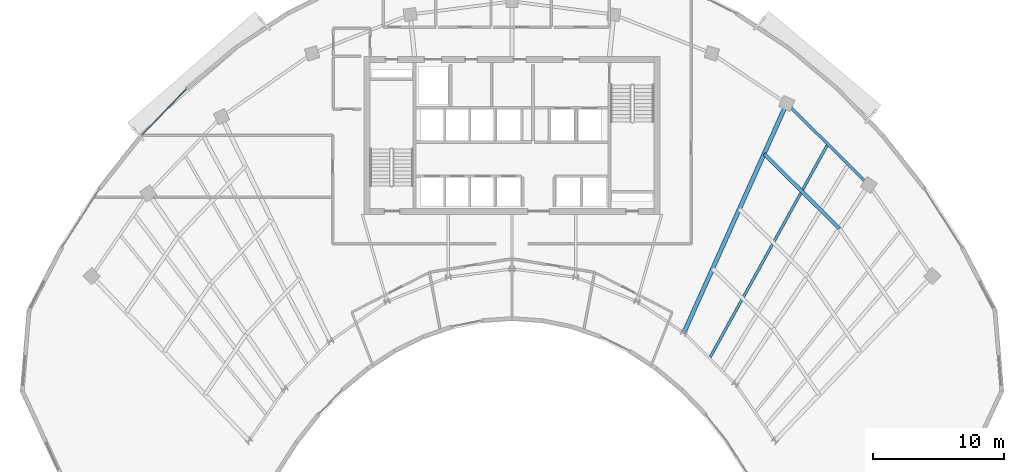
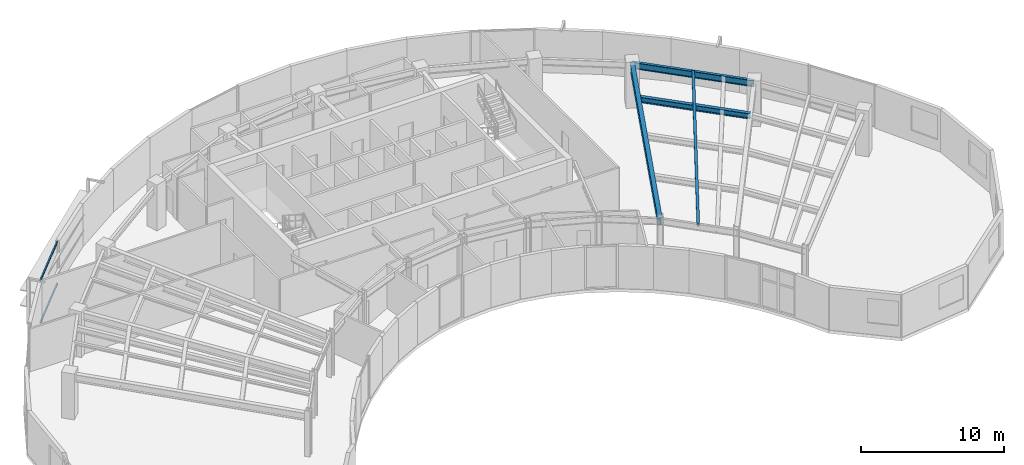
# One storey, part 4 of 13: 4 beams, 2 members, 1 element without a shape of its own.
"""IFC4 building model written with IfcOpenShell, lengths in metres."""

import ifcopenshell
import ifcopenshell.guid

model = None  # the IFC model being written
_history = None  # IfcOwnerHistory: only IFC2X3 demands one
_inside = {}  # id of a spatial element -> (the spatial element, [elements in it])
_under = {}  # id of a project, library or spatial element -> (it, [spatial elements below it])
_declared = {}  # id of a project -> (the project, [libraries it declares])
_typed = {}  # id of a type object -> (the type object, [elements of that type])
_made_of = {}  # id of a material, layer set ... -> (it, [elements and type objects made of it])


def new_model(schema):
    """Start an empty IFC model of exactly this schema.

    Asked for "IFC4X3", IfcOpenShell would pick the latest addendum, in which some entities
    have other attributes; the version numbers below select the first issue.
    IFC2X3 requires an IfcOwnerHistory on every rooted entity: one is made here for all.
    """
    global model, _history
    if schema == "IFC4X3":
        model = ifcopenshell.file(schema_version=(4, 3, 0, 0))
    else:
        model = ifcopenshell.file(schema=schema)
    _inside.clear()
    _under.clear()
    _declared.clear()
    _typed.clear()
    _made_of.clear()
    _history = None
    if model.schema == "IFC2X3":
        org = make("IfcOrganization", Name="unknown")
        user = make(
            "IfcPersonAndOrganization",
            ThePerson=make("IfcPerson", FamilyName="unknown"),
            TheOrganization=org,
        )
        app = make(
            "IfcApplication",
            ApplicationDeveloper=org,
            Version="unknown",
            ApplicationFullName="unknown",
            ApplicationIdentifier="unknown",
        )
        _history = make(
            "IfcOwnerHistory",
            OwningUser=user,
            OwningApplication=app,
            ChangeAction="ADDED",
            CreationDate=0,
        )
    return model


def make(cls, **values):
    """One entity of the class cls with the attributes given. An attribute that is None is left unset."""
    return model.create_entity(
        cls, **{name: value for name, value in values.items() if value is not None}
    )


def rooted(cls, **values):
    """An entity with a GlobalId (a new one), such as an element, a storey or a relation."""
    return make(cls, GlobalId=ifcopenshell.guid.new(), OwnerHistory=_history, **values)


def si_unit(unit_type, name, prefix=None):
    """IfcSIUnit, for example si_unit("LENGTHUNIT", "METRE", prefix="MILLI")."""
    return make("IfcSIUnit", UnitType=unit_type, Prefix=prefix, Name=name)


def assignment(units):
    """IfcUnitAssignment: the units of a project."""
    return None if units is None else make("IfcUnitAssignment", Units=units)


def point(xyz):
    """IfcCartesianPoint."""
    return None if xyz is None else make("IfcCartesianPoint", Coordinates=xyz)


def direction(xyz):
    """IfcDirection."""
    return None if xyz is None else make("IfcDirection", DirectionRatios=xyz)


def frame(location, z_axis=None, x_axis=None):
    """IfcAxis2Placement3D, a coordinate frame: its origin and axes. An axis left out is left unset."""
    return make(
        "IfcAxis2Placement3D",
        Location=point(location),
        Axis=direction(z_axis),
        RefDirection=direction(x_axis),
    )


def frame_2d(location, x_axis=None):
    """IfcAxis2Placement2D, a coordinate frame in the plane: its origin and x axis."""
    return make(
        "IfcAxis2Placement2D", Location=point(location), RefDirection=direction(x_axis)
    )


def origin():
    """The frame at (0, 0, 0) with its axes left unset."""
    return frame((0.0, 0.0, 0.0))


def origin_2d():
    """The frame at (0, 0) in the plane with its x axis left unset."""
    return frame_2d((0.0, 0.0))


def place(relative_to, where):
    """IfcLocalPlacement: puts the frame where relative to a parent placement (None: the world)."""
    return make(
        "IfcLocalPlacement", PlacementRelTo=relative_to, RelativePlacement=where
    )


def context(
    kind, dimensions, precision=None, world=None, true_north=None, identifier=None
):
    """IfcGeometricRepresentationContext, for example the 3D "Model" context."""
    return make(
        "IfcGeometricRepresentationContext",
        ContextIdentifier=identifier,
        ContextType=kind,
        CoordinateSpaceDimension=dimensions,
        Precision=precision,
        WorldCoordinateSystem=world,
        TrueNorth=true_north,
    )


def subcontext(parent, identifier, kind, view, scale=None):
    """IfcGeometricRepresentationSubContext, for example "Body" below "Model"."""
    return make(
        "IfcGeometricRepresentationSubContext",
        ContextIdentifier=identifier,
        ContextType=kind,
        ParentContext=parent,
        TargetScale=scale,
        TargetView=view,
    )


def project(units=None, contexts=None):
    """IfcProject with its units and contexts."""
    return rooted(
        "IfcProject",
        Name="project",
        RepresentationContexts=contexts,
        UnitsInContext=assignment(units),
    )


def spatial(cls, under=None, at=None, **own):
    """A site, building, storey or space (cls), placed at a placement, below another one or the project."""
    s = rooted(cls, ObjectPlacement=at, **own)
    if under is not None:
        _under.setdefault(under.id(), (under, []))[1].append(s)
    return s


def profile(cls, at=None, kind="AREA", **sizes):
    """A parametric profile (cls). Its sizes go by their IFC names, for example OverallWidth=200.0."""
    return make(cls, ProfileType=kind, Position=at, **sizes)


def rectangle(**sizes):
    """IfcRectangleProfileDef."""
    return profile("IfcRectangleProfileDef", **sizes)


def i_section(**sizes):
    """IfcIShapeProfileDef."""
    return profile("IfcIShapeProfileDef", **sizes)


def extrude(swept, where, along, depth):
    """IfcExtrudedAreaSolid: the profile swept, set in the frame where, extruded along a direction by depth."""
    return make(
        "IfcExtrudedAreaSolid",
        SweptArea=swept,
        Position=where,
        ExtrudedDirection=direction(along),
        Depth=depth,
    )


def shape(context_of_items, identifier, shape_type, items):
    """IfcShapeRepresentation: the items that make up one representation, for example the "Body"."""
    return make(
        "IfcShapeRepresentation",
        ContextOfItems=context_of_items,
        RepresentationIdentifier=identifier,
        RepresentationType=shape_type,
        Items=items,
    )


def source(mapping_origin, context_of_items, identifier, shape_type, items):
    """IfcRepresentationMap: a shape defined once, which mapped items show again and again."""
    return make(
        "IfcRepresentationMap",
        MappingOrigin=mapping_origin,
        MappedRepresentation=shape(context_of_items, identifier, shape_type, items),
    )


def transform(
    local_origin,
    x_axis=None,
    y_axis=None,
    z_axis=None,
    scale=None,
    scale2=None,
    scale3=None,
    uniform=True,
):
    """IfcCartesianTransformationOperator3D, or its non-uniform kind. x_axis, y_axis, z_axis: its Axis1, 2, 3."""
    if uniform:
        return make(
            "IfcCartesianTransformationOperator3D",
            Axis1=direction(x_axis),
            Axis2=direction(y_axis),
            LocalOrigin=point(local_origin),
            Scale=scale,
            Axis3=direction(z_axis),
        )
    return make(
        "IfcCartesianTransformationOperator3DnonUniform",
        Axis1=direction(x_axis),
        Axis2=direction(y_axis),
        LocalOrigin=point(local_origin),
        Scale=scale,
        Axis3=direction(z_axis),
        Scale2=scale2,
        Scale3=scale3,
    )


def mapped(mapping_source, mapping_target):
    """IfcMappedItem: shows the shape of a source again, moved by a transform."""
    return make(
        "IfcMappedItem", MappingSource=mapping_source, MappingTarget=mapping_target
    )


def material(Name=None, Category=None):
    """IfcMaterial."""
    return make("IfcMaterial", Name=Name, Category=Category)


def layer(
    of_material, thickness, ventilated=None, Name=None, Category=None, Priority=None
):
    """IfcMaterialLayer: one layer of a wall or slab, of a material (None: an air gap)."""
    return make(
        "IfcMaterialLayer",
        Material=of_material,
        LayerThickness=thickness,
        IsVentilated=ventilated,
        Name=Name,
        Category=Category,
        Priority=Priority,
    )


def layer_set(layers, Name=None):
    """IfcMaterialLayerSet."""
    return make("IfcMaterialLayerSet", MaterialLayers=layers, LayerSetName=Name)


def material_profile(
    of_material, cross_section, Name=None, Category=None, Priority=None
):
    """IfcMaterialProfile: a cross section and its material."""
    return make(
        "IfcMaterialProfile",
        Name=Name,
        Material=of_material,
        Profile=cross_section,
        Priority=Priority,
        Category=Category,
    )


def profile_set(profiles, Name=None, composite=None):
    """IfcMaterialProfileSet."""
    return make(
        "IfcMaterialProfileSet",
        Name=Name,
        MaterialProfiles=profiles,
        CompositeProfile=composite,
    )


def made_of(thing, what):
    """Note that an element or type object is made of a material, layer set ...; save() writes the relation."""
    if what is not None:
        _made_of.setdefault(what.id(), (what, []))[1].append(thing)
    return thing


def type_object(cls, material=None, **own):
    """A type object (cls), such as IfcWallType, which elements share."""
    return made_of(rooted(cls, **own), material)


def element(
    cls,
    number,
    at=None,
    inside=None,
    cuts=None,
    type_object=None,
    material=None,
    context=None,
    identifier="Body",
    shape_type=None,
    held_by="IfcProductDefinitionShape",
    body=None,
    shapes=None,
    **own,
):
    """One element of the class cls, such as IfcWall. Its Tag is "e" and its number.

    at: its placement. inside: the storey or other place that contains it. cuts: it is an
    opening in that element (IfcRelVoidsElement). A single representation is given by context,
    identifier, shape_type and body (its items); several are given by shapes. held_by: the class
    of the entity that holds the representations. save() writes the other relations.
    """
    e = rooted(cls, Tag="e%d" % number, ObjectPlacement=at, **own)
    if body is not None:
        shapes = [shape(context, identifier, shape_type, body)]
    if shapes is not None:
        e.Representation = make(held_by, Representations=shapes)
    if inside is not None:
        _inside.setdefault(inside.id(), (inside, []))[1].append(e)
    if cuts is not None:
        rooted(
            "IfcRelVoidsElement", RelatingBuildingElement=cuts, RelatedOpeningElement=e
        )
    if type_object is not None:
        _typed.setdefault(type_object.id(), (type_object, []))[1].append(e)
    return made_of(e, material)


def aggregate(whole, parts):
    """IfcRelAggregates: a whole, such as a stair, and the parts it consists of."""
    return rooted("IfcRelAggregates", RelatingObject=whole, RelatedObjects=parts)


def save(model, path):
    """Write the relations noted so far, then the file.

    IfcRelAggregates (storeys below a building ...), IfcRelContainedInSpatialStructure (elements
    in a storey), IfcRelDefinesByType, IfcRelAssociatesMaterial and IfcRelDeclares: one each for
    every whole, place, type object, material and project.
    """
    for whole, parts in _under.values():
        aggregate(whole, parts)
    for where, things in _inside.values():
        rooted(
            "IfcRelContainedInSpatialStructure",
            RelatedElements=things,
            RelatingStructure=where,
        )
    for kind, things in _typed.values():
        rooted("IfcRelDefinesByType", RelatedObjects=things, RelatingType=kind)
    for what, things in _made_of.values():
        rooted("IfcRelAssociatesMaterial", RelatedObjects=things, RelatingMaterial=what)
    for by, libraries in _declared.values():
        rooted("IfcRelDeclares", RelatingContext=by, RelatedDefinitions=libraries)
    model.write(path)


model = new_model("IFC4")

# Units and contexts
model_context = context("Model", 3, precision=1e-05, world=origin(), true_north=direction((0.0, 1.0)))
body_context = subcontext(model_context, "Body", "Model", "MODEL_VIEW")
ifc_project = project(units=[si_unit("LENGTHUNIT", "METRE"), si_unit("AREAUNIT", "SQUARE_METRE"), si_unit("VOLUMEUNIT", "CUBIC_METRE"), si_unit("PLANEANGLEUNIT", "RADIAN"), si_unit("MASSUNIT", "GRAM", prefix="KILO")], contexts=[model_context])

# Site, building, storey
site_placement = place(None, origin())
site = spatial("IfcSite", under=ifc_project, at=site_placement, CompositionType="ELEMENT")
building_placement = place(site_placement, origin())
building = spatial("IfcBuilding", under=site, at=building_placement, Name="Breltana Convention Tower", CompositionType="ELEMENT")
storey_placement = place(building_placement, frame((0.0, 0.0, 204.0)))
storey = spatial("IfcBuildingStorey", under=building, at=storey_placement, Name="L49", CompositionType="ELEMENT", Elevation=204.0)

# Beams
ifc_material_1 = material(Name="Steel ASTM A992 Grade 50", Category="steel")
ifc_material_profile_1 = material_profile(ifc_material_1, i_section(OverallWidth=0.280029296875, OverallDepth=0.462890625, WebThickness=0.0107421875, FlangeThickness=0.017333984375, at=origin_2d()), Name="W18X76")
ifc_profile_set_1 = profile_set([ifc_material_profile_1], Name="Steel ASTM A992 Grade 50")
beam_type_1 = type_object("IfcBeamType", Name="BM-JSG-06", PredefinedType="JOIST", material=ifc_profile_set_1)
shared_shape_1 = source(origin(), body_context, "Body", "SweptSolid", [
    extrude(i_section(OverallWidth=0.280029296875, OverallDepth=0.462890625, WebThickness=0.0107421875, FlangeThickness=0.017333984375, at=origin_2d()), origin(), (0.0, 0.0, 1.0), 8.084716796875),
])
beam_1_placement = place(storey_placement, frame((67.188232421875, 64.79248046875, 3.408447265625), z_axis=(0.710105094548, -0.704095699956, 0.0), x_axis=(0.704095699956, 0.710105094548, 0.0)))
element("IfcBeam", 1, at=beam_1_placement, inside=storey, type_object=beam_type_1, Name="L49 Composite Floor Joist 09.3", PredefinedType="JOIST", context=body_context, shape_type="MappedRepresentation", body=[
    mapped(shared_shape_1, transform((0.0, 0.0, 0.0), scale=1.0)),
])
ifc_material_profile_2 = material_profile(ifc_material_1, i_section(OverallWidth=0.201904296875, OverallDepth=0.2470703125, WebThickness=0.00732421875, FlangeThickness=0.010986328125, at=origin_2d()), Name="W10X33")
ifc_profile_set_2 = profile_set([ifc_material_profile_2], Name="Steel ASTM A992 Grade 50")
beam_type_2 = type_object("IfcBeamType", Name="BM-JSG-11", PredefinedType="JOIST", material=ifc_profile_set_2)
shared_shape_2 = source(origin(), body_context, "Body", "SweptSolid", [
    extrude(i_section(OverallWidth=0.201904296875, OverallDepth=0.2470703125, WebThickness=0.00732421875, FlangeThickness=0.010986328125, at=origin_2d()), origin(), (0.0, 0.0, 1.0), 18.617431640625),
])
beam_2_placement = place(storey_placement, frame((63.038818359375, 49.234130859375, 3.5166015625), z_axis=(0.483405602507, 0.875396495004, 0.0), x_axis=(-0.875396495004, 0.483405602507, 0.0)))
element("IfcBeam", 2, at=beam_2_placement, inside=storey, type_object=beam_type_2, Name="L49 Mid-Bay Radial Trimmer 09", PredefinedType="JOIST", context=body_context, shape_type="MappedRepresentation", body=[
    mapped(shared_shape_2, transform((0.0, 0.0, 0.0), scale=1.0)),
])
ifc_material_profile_3 = material_profile(ifc_material_1, i_section(OverallWidth=0.326904296875, OverallDepth=0.6220703125, WebThickness=0.015380859375, FlangeThickness=0.0244140625, at=origin_2d()), Name="W24X131")
ifc_profile_set_3 = profile_set([ifc_material_profile_3], Name="Steel ASTM A992 Grade 50")
beam_type_3 = type_object("IfcBeamType", Name="BM-RG-W24X131", PredefinedType="USERDEFINED", material=ifc_profile_set_3)
shared_shape_3 = source(origin(), body_context, "Body", "SweptSolid", [
    extrude(i_section(OverallWidth=0.326904296875, OverallDepth=0.6220703125, WebThickness=0.015380859375, FlangeThickness=0.0244140625, at=origin_2d()), origin(), (0.0, 0.0, 1.0), 19.133544921875),
])
beam_3_placement = place(storey_placement, frame((61.08203125, 51.174560546875, 3.3291015625), z_axis=(0.409144564164, 0.912469575172, 0.0), x_axis=(-0.912469575172, 0.409144564164, 0.0)))
element("IfcBeam", 3, at=beam_3_placement, inside=storey, type_object=beam_type_3, Name="L49 Radial Floor Girder R09", ObjectType="GIRDER", PredefinedType="USERDEFINED", context=body_context, shape_type="MappedRepresentation", body=[
    mapped(shared_shape_3, transform((0.0, 0.0, 0.0), scale=1.0)),
])
ifc_material_profile_4 = material_profile(ifc_material_1, i_section(OverallWidth=0.214111328125, OverallDepth=0.549072265625, WebThickness=0.0146484375, FlangeThickness=0.023681640625, at=origin_2d()), Name="W21X93")
ifc_profile_set_4 = profile_set([ifc_material_profile_4], Name="Steel ASTM A992 Grade 50")
beam_type_4 = type_object("IfcBeamType", Name="BM-SP-W21X93", PredefinedType="SPANDREL", material=ifc_profile_set_4)
shared_shape_4 = source(origin(), body_context, "Body", "SweptSolid", [
    extrude(i_section(OverallWidth=0.214111328125, OverallDepth=0.549072265625, WebThickness=0.0146484375, FlangeThickness=0.023681640625, at=origin_2d()), origin(), (0.0, 0.0, 1.0), 8.810302734375),
])
beam_4_placement = place(storey_placement, frame((68.910400390625, 68.63330078125, 3.365478515625), z_axis=(0.710120823582, -0.704079836322, 0.0), x_axis=(0.704079836322, 0.710120823582, 0.0)))
element("IfcBeam", 4, at=beam_4_placement, inside=storey, type_object=beam_type_4, Name="L49 Outer Spandrel Beam 09", PredefinedType="SPANDREL", context=body_context, shape_type="MappedRepresentation", body=[
    mapped(shared_shape_4, transform((0.0, 0.0, 0.0), scale=1.0)),
])

# Curtain wall, members
ifc_material_2 = material(Name="Aluminium Anodised Bronze Frame", Category="aluminium")
ifc_layer = layer(ifc_material_2, 0.219970703125, Name="Aluminium Anodised Bronze Frame")
ifc_layer_set = layer_set([ifc_layer], Name="Aluminium Anodised Bronze Frame")
curtain_wall_type = type_object("IfcCurtainWallType", Name="CW-SYS-4", PredefinedType="NOTDEFINED", material=ifc_layer_set)
curtain_wall_placement = place(storey_placement, origin())
curtain_wall = element("IfcCurtainWall", 5, at=curtain_wall_placement, inside=storey, type_object=curtain_wall_type, Name="L49 outer double-skin inner glazing 2", PredefinedType="NOTDEFINED")
ifc_material_3 = material(Name="Aluminium Anodised Bronze", Category="aluminium")
ifc_material_profile_5 = material_profile(ifc_material_3, rectangle(XDim=0.070068359375, YDim=0.1201171875, at=origin_2d()), Name="CWT-70X120")
ifc_profile_set_5 = profile_set([ifc_material_profile_5], Name="Aluminium Anodised Bronze")
member_type = type_object("IfcMemberType", Name="CWT-120", PredefinedType="USERDEFINED", material=ifc_profile_set_5)
shared_shape_5 = source(origin(), body_context, "Body", "SweptSolid", [
    extrude(rectangle(XDim=0.070068359375, YDim=0.1201171875, at=origin_2d()), origin(), (0.0, 0.0, 1.0), 4.8408203125),
])
member_1_placement = place(storey_placement, frame((19.85009765625, 66.247802734375, 0.034912109375), z_axis=(0.694617014344, 0.719379735178, 0.0), x_axis=(-0.719379735178, 0.694617014344, 0.0)))
member_1 = element("IfcMember", 6, at=member_1_placement, type_object=member_type, Name="CW-04 transom 1.1", ObjectType="TRANSOM", PredefinedType="USERDEFINED", context=body_context, shape_type="MappedRepresentation", body=[
    mapped(shared_shape_5, transform((0.0, 0.0, 0.0), scale=1.0)),
])
member_2_placement = place(storey_placement, frame((19.85009765625, 66.247802734375, 3.60498046875), z_axis=(0.694617014344, 0.719379735178, 0.0), x_axis=(-0.719379735178, 0.694617014344, 0.0)))
member_2 = element("IfcMember", 7, at=member_2_placement, type_object=member_type, Name="CW-04 transom 1.2", ObjectType="TRANSOM", PredefinedType="USERDEFINED", context=body_context, shape_type="MappedRepresentation", body=[
    mapped(shared_shape_5, transform((0.0, 0.0, 0.0), scale=1.0)),
])
aggregate(curtain_wall, [member_1, member_2])

save(model, "model.ifc")
